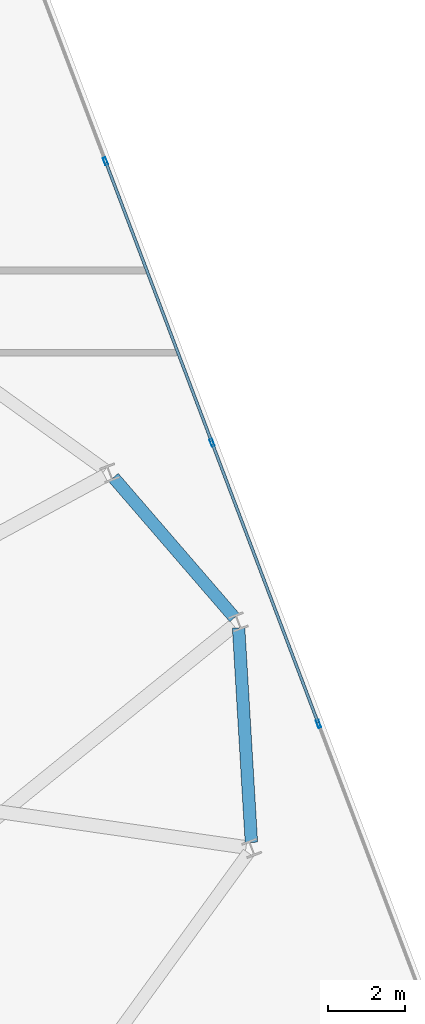
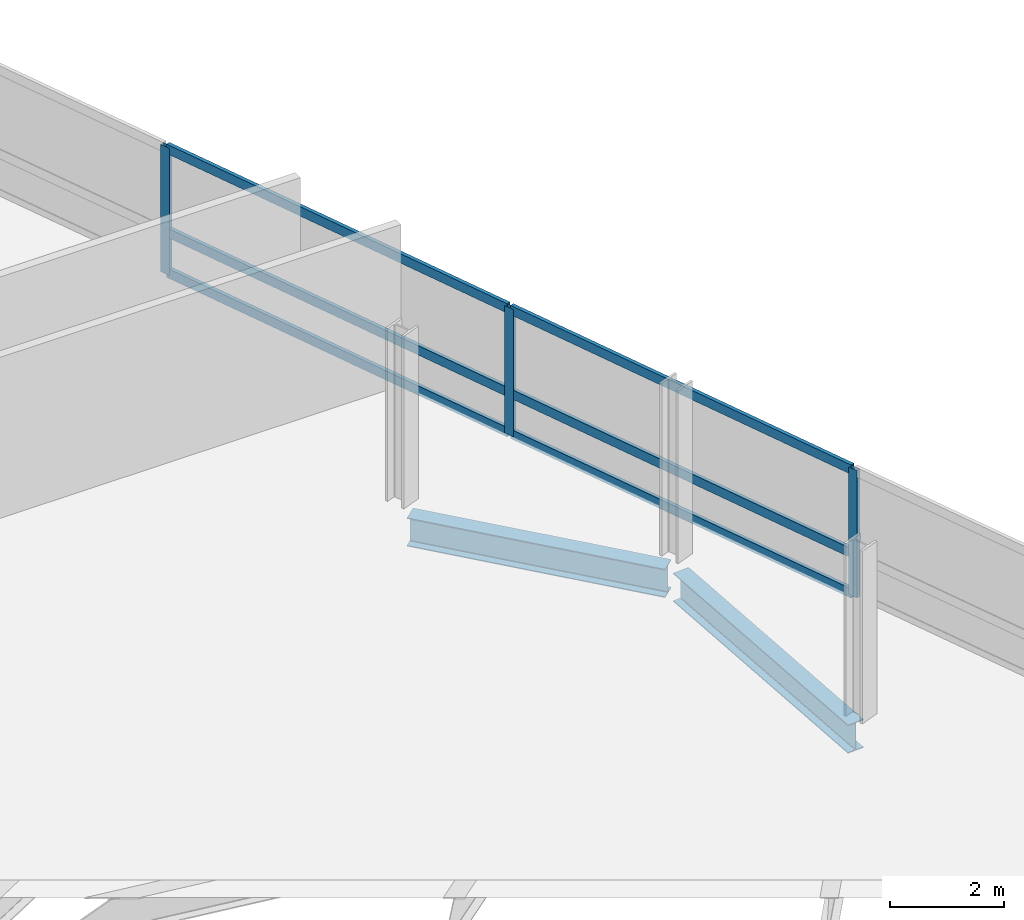
# One storey, part 12 of 20: 9 members, 2 beams, 1 element without a shape of its own.
"""IFC4 building model written with IfcOpenShell, lengths in metres."""

from ifc_helpers import new_model, si_unit, direction, frame, origin, origin_2d, place, context, subcontext, project, spatial, hollow_rectangle, i_section, extrude, material, layer, layer_set, material_profile, profile_set, type_object, element, aggregate, save


model = new_model("IFC4")

# Units and contexts
model_context = context("Model", 3, precision=1e-05, world=origin(), true_north=direction((0.0, 1.0)))
body_context = subcontext(model_context, "Body", "Model", "MODEL_VIEW")
ifc_project = project(units=[si_unit("LENGTHUNIT", "METRE"), si_unit("AREAUNIT", "SQUARE_METRE"), si_unit("VOLUMEUNIT", "CUBIC_METRE"), si_unit("PLANEANGLEUNIT", "RADIAN"), si_unit("MASSUNIT", "GRAM", prefix="KILO")], contexts=[model_context])

# Site, building, storey
site_placement = place(None, origin())
site = spatial("IfcSite", under=ifc_project, at=site_placement, CompositionType="ELEMENT")
building_placement = place(site_placement, origin())
building = spatial("IfcBuilding", under=site, at=building_placement, Name="Varnelok Gate Tower", CompositionType="ELEMENT")
storey_placement = place(building_placement, frame((0.0, 0.0, 216.39990234375)))
storey = spatial("IfcBuildingStorey", under=building, at=storey_placement, Name="L55", CompositionType="ELEMENT", Elevation=216.39990234375)

# Beams
ifc_material_1 = material(Name="Structural Steel ASTM A992 Grade 50", Category="steel")
ifc_material_profile_1 = material_profile(ifc_material_1, i_section(OverallWidth=0.323974609375, OverallDepth=0.611083984375, WebThickness=0.0126953125, FlangeThickness=0.01904296875, FilletRadius=0.01806640625, at=origin_2d()), Name="W24X104")
ifc_profile_set_1 = profile_set([ifc_material_profile_1], Name="Structural Steel ASTM A992 Grade 50")
beam_type = type_object("IfcBeamType", Name="BM-SPN-W24X104", PredefinedType="SPANDREL", material=ifc_profile_set_1)
beam_1_placement = place(storey_placement, frame((71.046142578125, 26.60302734375, -0.555419921875), z_axis=(-0.059494461707, 0.998228635647, 0.0), x_axis=(-0.998228635647, -0.059494461707, 0.0)))
element("IfcBeam", 1, at=beam_1_placement, inside=storey, type_object=beam_type, Name="L55 Perimeter Spandrel Beam 6", PredefinedType="SPANDREL", context=body_context, shape_type="SweptSolid", body=[
    extrude(i_section(OverallWidth=0.323974609375, OverallDepth=0.611083984375, WebThickness=0.0126953125, FlangeThickness=0.01904296875, FilletRadius=0.01806640625, at=origin_2d()), origin(), (0.0, 0.0, 1.0), 5.57666015625),
])
beam_2_placement = place(storey_placement, frame((70.607421875, 32.43310546875, -0.555419921875), z_axis=(-0.653480804386, 0.756943087886, 0.0), x_axis=(-0.756943087886, -0.653480804386, 0.0)))
element("IfcBeam", 2, at=beam_2_placement, inside=storey, type_object=beam_type, Name="L55 Perimeter Spandrel Beam 7", PredefinedType="SPANDREL", context=body_context, shape_type="SweptSolid", body=[
    extrude(i_section(OverallWidth=0.323974609375, OverallDepth=0.611083984375, WebThickness=0.0126953125, FlangeThickness=0.01904296875, FilletRadius=0.01806640625, at=origin_2d()), origin(), (0.0, 0.0, 1.0), 4.799560546875),
])

# Curtain wall, members
ifc_material_2 = material(Name="Anodized Aluminum Alloy 6063-T6", Category="aluminium")
ifc_layer = layer(ifc_material_2, 0.179931640625)
ifc_layer_set = layer_set([ifc_layer], Name="Anodized Aluminum Alloy 6063-T6")
curtain_wall_type = type_object("IfcCurtainWallType", Name="CW4-RESIDENCE-VISION", PredefinedType="USERDEFINED", material=ifc_layer_set)
curtain_wall_placement = place(storey_placement, origin())
curtain_wall = element("IfcCurtainWall", 3, at=curtain_wall_placement, inside=storey, type_object=curtain_wall_type, Name="L55 East End Vision Curtain Wall", ObjectType="UNITISED CURTAIN WALL", PredefinedType="USERDEFINED")
ifc_material_profile_2 = material_profile(ifc_material_2, hollow_rectangle(XDim=0.074951171875, YDim=0.199951171875, WallThickness=0.00390625, at=origin_2d()), Name="ALU200X75X4")
ifc_profile_set_2 = profile_set([ifc_material_profile_2], Name="Anodized Aluminum Alloy 6063-T6")
member_type_1 = type_object("IfcMemberType", Name="CW-MULL-200", PredefinedType="MULLION", material=ifc_profile_set_2)
member_1_placement = place(storey_placement, frame((67.26318359375, 44.2646484375, 0.0), z_axis=(0.0, 0.0, 1.0), x_axis=(0.935221557832, 0.354063042079, 0.0)))
member_1 = element("IfcMember", 4, at=member_1_placement, type_object=member_type_1, Name="CW4 mullion 2", PredefinedType="MULLION", context=body_context, shape_type="SweptSolid", body=[
    extrude(hollow_rectangle(XDim=0.074951171875, YDim=0.199951171875, WallThickness=0.00390625, at=origin_2d()), origin(), (0.0, 0.0, 1.0), 2.72998046875),
])
member_2_placement = place(storey_placement, frame((70.02490234375, 36.969970703125, 0.0), z_axis=(0.0, 0.0, 1.0), x_axis=(0.935221557832, 0.354063042079, 0.0)))
member_2 = element("IfcMember", 5, at=member_2_placement, type_object=member_type_1, Name="CW4 mullion 3", PredefinedType="MULLION", context=body_context, shape_type="SweptSolid", body=[
    extrude(hollow_rectangle(XDim=0.074951171875, YDim=0.199951171875, WallThickness=0.00390625, at=origin_2d()), origin(), (0.0, 0.0, 1.0), 2.72998046875),
])
member_3_placement = place(storey_placement, frame((72.78662109375, 29.675048828125, 0.0), z_axis=(0.0, 0.0, 1.0), x_axis=(0.935221557832, 0.354063042079, 0.0)))
member_3 = element("IfcMember", 6, at=member_3_placement, type_object=member_type_1, Name="CW4 mullion 4", PredefinedType="MULLION", context=body_context, shape_type="SweptSolid", body=[
    extrude(hollow_rectangle(XDim=0.074951171875, YDim=0.199951171875, WallThickness=0.00390625, at=origin_2d()), origin(), (0.0, 0.0, 1.0), 2.72998046875),
])
ifc_material_profile_3 = material_profile(ifc_material_2, hollow_rectangle(XDim=0.074951171875, YDim=0.199951171875, WallThickness=0.00390625, at=origin_2d()), Name="ALU200X75X4")
ifc_profile_set_3 = profile_set([ifc_material_profile_3], Name="Anodized Aluminum Alloy 6063-T6")
member_type_2 = type_object("IfcMemberType", Name="CW-TRAN-200", PredefinedType="USERDEFINED", material=ifc_profile_set_3)
member_4_placement = place(storey_placement, frame((67.2763671875, 44.2294921875, 0.03759765625), z_axis=(0.354086355793, -0.935212731223, 0.0), x_axis=(0.935212731223, 0.354086355793, 0.0)))
member_4 = element("IfcMember", 7, at=member_4_placement, type_object=member_type_2, Name="CW4 transom 2.1", ObjectType="TRANSOM", PredefinedType="USERDEFINED", context=body_context, shape_type="SweptSolid", body=[
    extrude(hollow_rectangle(XDim=0.074951171875, YDim=0.199951171875, WallThickness=0.00390625, at=origin_2d()), origin(), (0.0, 0.0, 1.0), 7.72509765625),
])
member_5_placement = place(storey_placement, frame((67.2763671875, 44.2294921875, 0.900146484375), z_axis=(0.354086355793, -0.935212731223, 0.0), x_axis=(0.935212731223, 0.354086355793, 0.0)))
member_5 = element("IfcMember", 8, at=member_5_placement, type_object=member_type_2, Name="CW4 transom 2.2", ObjectType="TRANSOM", PredefinedType="USERDEFINED", context=body_context, shape_type="SweptSolid", body=[
    extrude(hollow_rectangle(XDim=0.074951171875, YDim=0.199951171875, WallThickness=0.00390625, at=origin_2d()), origin(), (0.0, 0.0, 1.0), 7.72509765625),
])
member_6_placement = place(storey_placement, frame((67.2763671875, 44.2294921875, 2.692626953125), z_axis=(0.354086355793, -0.935212731223, 0.0), x_axis=(0.935212731223, 0.354086355793, 0.0)))
member_6 = element("IfcMember", 9, at=member_6_placement, type_object=member_type_2, Name="CW4 transom 2.3", ObjectType="TRANSOM", PredefinedType="USERDEFINED", context=body_context, shape_type="SweptSolid", body=[
    extrude(hollow_rectangle(XDim=0.074951171875, YDim=0.199951171875, WallThickness=0.00390625, at=origin_2d()), origin(), (0.0, 0.0, 1.0), 7.72509765625),
])
member_7_placement = place(storey_placement, frame((70.0380859375, 36.934814453125, 0.03759765625), z_axis=(0.354086355793, -0.935212731223, 0.0), x_axis=(0.935212731223, 0.354086355793, 0.0)))
member_7 = element("IfcMember", 10, at=member_7_placement, type_object=member_type_2, Name="CW4 transom 3.1", ObjectType="TRANSOM", PredefinedType="USERDEFINED", context=body_context, shape_type="SweptSolid", body=[
    extrude(hollow_rectangle(XDim=0.074951171875, YDim=0.199951171875, WallThickness=0.00390625, at=origin_2d()), origin(), (0.0, 0.0, 1.0), 7.72509765625),
])
member_8_placement = place(storey_placement, frame((70.0380859375, 36.934814453125, 0.900146484375), z_axis=(0.354086355793, -0.935212731223, 0.0), x_axis=(0.935212731223, 0.354086355793, 0.0)))
member_8 = element("IfcMember", 11, at=member_8_placement, type_object=member_type_2, Name="CW4 transom 3.2", ObjectType="TRANSOM", PredefinedType="USERDEFINED", context=body_context, shape_type="SweptSolid", body=[
    extrude(hollow_rectangle(XDim=0.074951171875, YDim=0.199951171875, WallThickness=0.00390625, at=origin_2d()), origin(), (0.0, 0.0, 1.0), 7.72509765625),
])
member_9_placement = place(storey_placement, frame((70.0380859375, 36.934814453125, 2.692626953125), z_axis=(0.354086355793, -0.935212731223, 0.0), x_axis=(0.935212731223, 0.354086355793, 0.0)))
member_9 = element("IfcMember", 12, at=member_9_placement, type_object=member_type_2, Name="CW4 transom 3.3", ObjectType="TRANSOM", PredefinedType="USERDEFINED", context=body_context, shape_type="SweptSolid", body=[
    extrude(hollow_rectangle(XDim=0.074951171875, YDim=0.199951171875, WallThickness=0.00390625, at=origin_2d()), origin(), (0.0, 0.0, 1.0), 7.72509765625),
])
aggregate(curtain_wall, [member_1, member_2, member_3, member_4, member_5, member_6, member_7, member_8, member_9])

save(model, "model.ifc")
